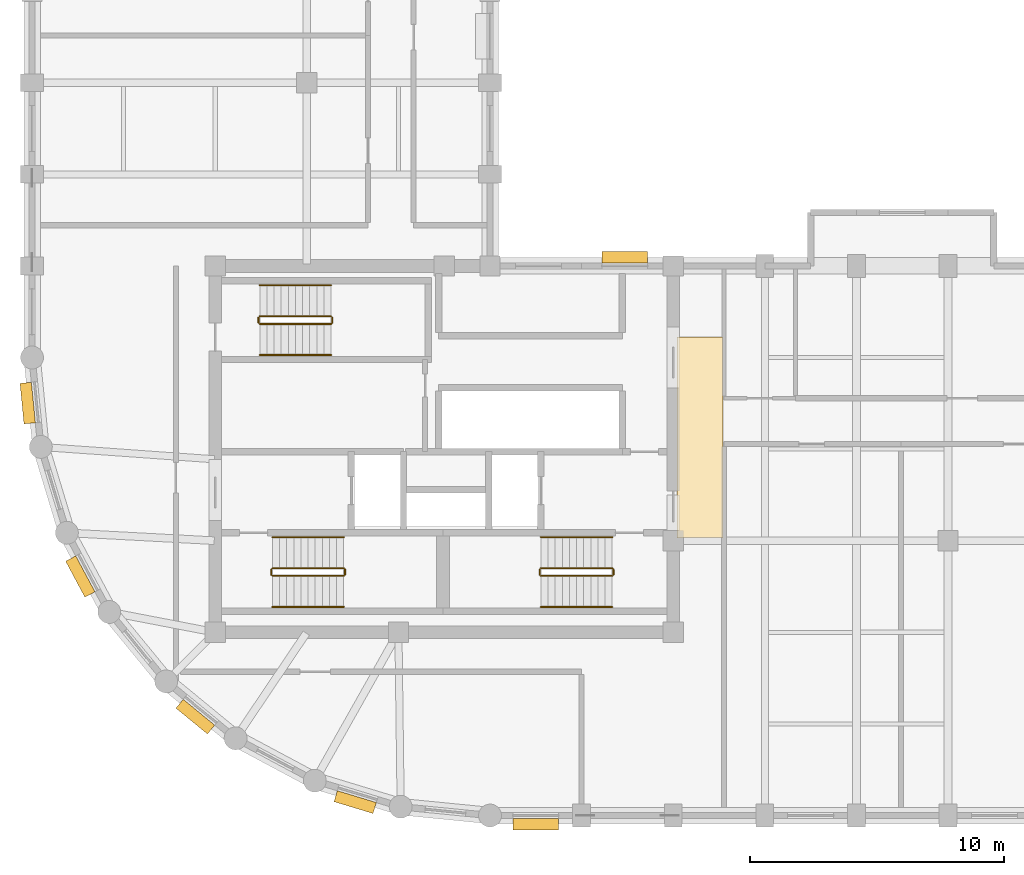
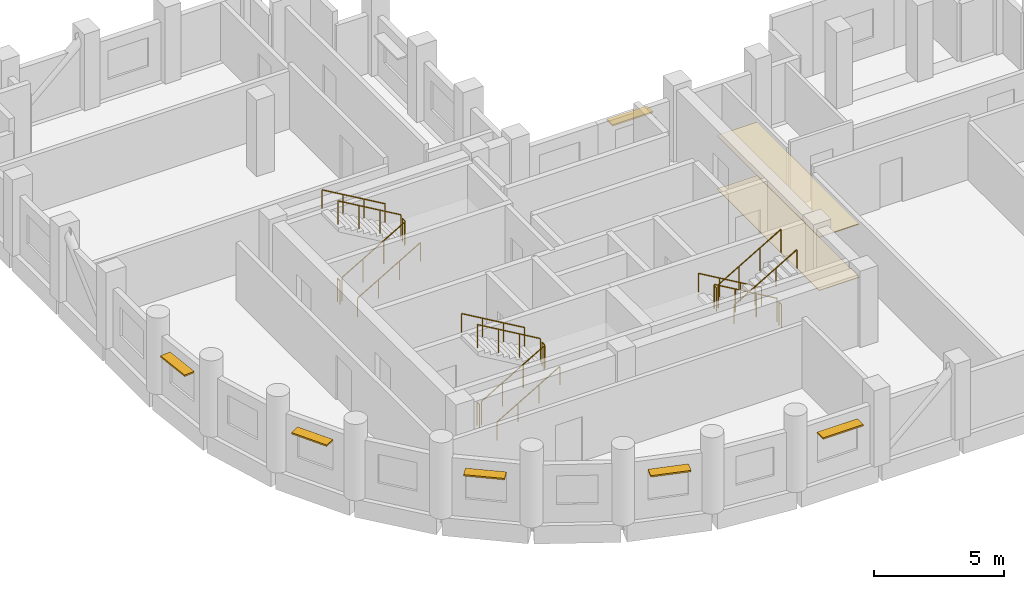
# One storey, part 6 of 7: 18 railings, 6 shading devices, 2 coverings.
"""IFC4 building model written with IfcOpenShell, lengths in metres."""

import ifcopenshell
import ifcopenshell.guid

model = None  # the IFC model being written
_history = None  # IfcOwnerHistory: only IFC2X3 demands one
_inside = {}  # id of a spatial element -> (the spatial element, [elements in it])
_under = {}  # id of a project, library or spatial element -> (it, [spatial elements below it])
_declared = {}  # id of a project -> (the project, [libraries it declares])
_typed = {}  # id of a type object -> (the type object, [elements of that type])
_made_of = {}  # id of a material, layer set ... -> (it, [elements and type objects made of it])


def new_model(schema):
    """Start an empty IFC model of exactly this schema.

    Asked for "IFC4X3", IfcOpenShell would pick the latest addendum, in which some entities
    have other attributes; the version numbers below select the first issue.
    IFC2X3 requires an IfcOwnerHistory on every rooted entity: one is made here for all.
    """
    global model, _history
    if schema == "IFC4X3":
        model = ifcopenshell.file(schema_version=(4, 3, 0, 0))
    else:
        model = ifcopenshell.file(schema=schema)
    _inside.clear()
    _under.clear()
    _declared.clear()
    _typed.clear()
    _made_of.clear()
    _history = None
    if model.schema == "IFC2X3":
        org = make("IfcOrganization", Name="unknown")
        user = make(
            "IfcPersonAndOrganization",
            ThePerson=make("IfcPerson", FamilyName="unknown"),
            TheOrganization=org,
        )
        app = make(
            "IfcApplication",
            ApplicationDeveloper=org,
            Version="unknown",
            ApplicationFullName="unknown",
            ApplicationIdentifier="unknown",
        )
        _history = make(
            "IfcOwnerHistory",
            OwningUser=user,
            OwningApplication=app,
            ChangeAction="ADDED",
            CreationDate=0,
        )
    return model


def make(cls, **values):
    """One entity of the class cls with the attributes given. An attribute that is None is left unset."""
    return model.create_entity(
        cls, **{name: value for name, value in values.items() if value is not None}
    )


def rooted(cls, **values):
    """An entity with a GlobalId (a new one), such as an element, a storey or a relation."""
    return make(cls, GlobalId=ifcopenshell.guid.new(), OwnerHistory=_history, **values)


def si_unit(unit_type, name, prefix=None):
    """IfcSIUnit, for example si_unit("LENGTHUNIT", "METRE", prefix="MILLI")."""
    return make("IfcSIUnit", UnitType=unit_type, Prefix=prefix, Name=name)


def assignment(units):
    """IfcUnitAssignment: the units of a project."""
    return None if units is None else make("IfcUnitAssignment", Units=units)


def point(xyz):
    """IfcCartesianPoint."""
    return None if xyz is None else make("IfcCartesianPoint", Coordinates=xyz)


def direction(xyz):
    """IfcDirection."""
    return None if xyz is None else make("IfcDirection", DirectionRatios=xyz)


def frame(location, z_axis=None, x_axis=None):
    """IfcAxis2Placement3D, a coordinate frame: its origin and axes. An axis left out is left unset."""
    return make(
        "IfcAxis2Placement3D",
        Location=point(location),
        Axis=direction(z_axis),
        RefDirection=direction(x_axis),
    )


def frame_2d(location, x_axis=None):
    """IfcAxis2Placement2D, a coordinate frame in the plane: its origin and x axis."""
    return make(
        "IfcAxis2Placement2D", Location=point(location), RefDirection=direction(x_axis)
    )


def origin():
    """The frame at (0, 0, 0) with its axes left unset."""
    return frame((0.0, 0.0, 0.0))


def origin_2d():
    """The frame at (0, 0) in the plane with its x axis left unset."""
    return frame_2d((0.0, 0.0))


def place(relative_to, where):
    """IfcLocalPlacement: puts the frame where relative to a parent placement (None: the world)."""
    return make(
        "IfcLocalPlacement", PlacementRelTo=relative_to, RelativePlacement=where
    )


def context(
    kind, dimensions, precision=None, world=None, true_north=None, identifier=None
):
    """IfcGeometricRepresentationContext, for example the 3D "Model" context."""
    return make(
        "IfcGeometricRepresentationContext",
        ContextIdentifier=identifier,
        ContextType=kind,
        CoordinateSpaceDimension=dimensions,
        Precision=precision,
        WorldCoordinateSystem=world,
        TrueNorth=true_north,
    )


def subcontext(parent, identifier, kind, view, scale=None):
    """IfcGeometricRepresentationSubContext, for example "Body" below "Model"."""
    return make(
        "IfcGeometricRepresentationSubContext",
        ContextIdentifier=identifier,
        ContextType=kind,
        ParentContext=parent,
        TargetScale=scale,
        TargetView=view,
    )


def project(units=None, contexts=None):
    """IfcProject with its units and contexts."""
    return rooted(
        "IfcProject",
        Name="project",
        RepresentationContexts=contexts,
        UnitsInContext=assignment(units),
    )


def spatial(cls, under=None, at=None, **own):
    """A site, building, storey or space (cls), placed at a placement, below another one or the project."""
    s = rooted(cls, ObjectPlacement=at, **own)
    if under is not None:
        _under.setdefault(under.id(), (under, []))[1].append(s)
    return s


def polyline(points):
    """IfcPolyline through the points."""
    return make("IfcPolyline", Points=[point(p) for p in points])


def profile(cls, at=None, kind="AREA", **sizes):
    """A parametric profile (cls). Its sizes go by their IFC names, for example OverallWidth=200.0."""
    return make(cls, ProfileType=kind, Position=at, **sizes)


def rectangle(**sizes):
    """IfcRectangleProfileDef."""
    return profile("IfcRectangleProfileDef", **sizes)


def circle(**sizes):
    """IfcCircleProfileDef."""
    return profile("IfcCircleProfileDef", **sizes)


def outline(outer, holes=None, kind="AREA"):
    """IfcArbitraryClosedProfileDef: a profile drawn as a closed curve; with holes, ...WithVoids."""
    if holes is None:
        return make("IfcArbitraryClosedProfileDef", ProfileType=kind, OuterCurve=outer)
    return make(
        "IfcArbitraryProfileDefWithVoids",
        ProfileType=kind,
        OuterCurve=outer,
        InnerCurves=holes,
    )


def extrude(swept, where, along, depth):
    """IfcExtrudedAreaSolid: the profile swept, set in the frame where, extruded along a direction by depth."""
    return make(
        "IfcExtrudedAreaSolid",
        SweptArea=swept,
        Position=where,
        ExtrudedDirection=direction(along),
        Depth=depth,
    )


def shape(context_of_items, identifier, shape_type, items):
    """IfcShapeRepresentation: the items that make up one representation, for example the "Body"."""
    return make(
        "IfcShapeRepresentation",
        ContextOfItems=context_of_items,
        RepresentationIdentifier=identifier,
        RepresentationType=shape_type,
        Items=items,
    )


def material(Name=None, Category=None):
    """IfcMaterial."""
    return make("IfcMaterial", Name=Name, Category=Category)


def layer(
    of_material, thickness, ventilated=None, Name=None, Category=None, Priority=None
):
    """IfcMaterialLayer: one layer of a wall or slab, of a material (None: an air gap)."""
    return make(
        "IfcMaterialLayer",
        Material=of_material,
        LayerThickness=thickness,
        IsVentilated=ventilated,
        Name=Name,
        Category=Category,
        Priority=Priority,
    )


def layer_set(layers, Name=None):
    """IfcMaterialLayerSet."""
    return make("IfcMaterialLayerSet", MaterialLayers=layers, LayerSetName=Name)


def made_of(thing, what):
    """Note that an element or type object is made of a material, layer set ...; save() writes the relation."""
    if what is not None:
        _made_of.setdefault(what.id(), (what, []))[1].append(thing)
    return thing


def type_object(cls, material=None, **own):
    """A type object (cls), such as IfcWallType, which elements share."""
    return made_of(rooted(cls, **own), material)


def element(
    cls,
    number,
    at=None,
    inside=None,
    cuts=None,
    type_object=None,
    material=None,
    context=None,
    identifier="Body",
    shape_type=None,
    held_by="IfcProductDefinitionShape",
    body=None,
    shapes=None,
    **own,
):
    """One element of the class cls, such as IfcWall. Its Tag is "e" and its number.

    at: its placement. inside: the storey or other place that contains it. cuts: it is an
    opening in that element (IfcRelVoidsElement). A single representation is given by context,
    identifier, shape_type and body (its items); several are given by shapes. held_by: the class
    of the entity that holds the representations. save() writes the other relations.
    """
    e = rooted(cls, Tag="e%d" % number, ObjectPlacement=at, **own)
    if body is not None:
        shapes = [shape(context, identifier, shape_type, body)]
    if shapes is not None:
        e.Representation = make(held_by, Representations=shapes)
    if inside is not None:
        _inside.setdefault(inside.id(), (inside, []))[1].append(e)
    if cuts is not None:
        rooted(
            "IfcRelVoidsElement", RelatingBuildingElement=cuts, RelatedOpeningElement=e
        )
    if type_object is not None:
        _typed.setdefault(type_object.id(), (type_object, []))[1].append(e)
    return made_of(e, material)


def aggregate(whole, parts):
    """IfcRelAggregates: a whole, such as a stair, and the parts it consists of."""
    return rooted("IfcRelAggregates", RelatingObject=whole, RelatedObjects=parts)


def save(model, path):
    """Write the relations noted so far, then the file.

    IfcRelAggregates (storeys below a building ...), IfcRelContainedInSpatialStructure (elements
    in a storey), IfcRelDefinesByType, IfcRelAssociatesMaterial and IfcRelDeclares: one each for
    every whole, place, type object, material and project.
    """
    for whole, parts in _under.values():
        aggregate(whole, parts)
    for where, things in _inside.values():
        rooted(
            "IfcRelContainedInSpatialStructure",
            RelatedElements=things,
            RelatingStructure=where,
        )
    for kind, things in _typed.values():
        rooted("IfcRelDefinesByType", RelatedObjects=things, RelatingType=kind)
    for what, things in _made_of.values():
        rooted("IfcRelAssociatesMaterial", RelatedObjects=things, RelatingMaterial=what)
    for by, libraries in _declared.values():
        rooted("IfcRelDeclares", RelatingContext=by, RelatedDefinitions=libraries)
    model.write(path)


model = new_model("IFC4")

# Units and contexts
model_context = context("Model", 3, precision=1e-05, world=origin(), true_north=direction((0.0, 1.0)))
body_context = subcontext(model_context, "Body", "Model", "MODEL_VIEW")
ifc_project = project(units=[si_unit("LENGTHUNIT", "METRE"), si_unit("AREAUNIT", "SQUARE_METRE"), si_unit("VOLUMEUNIT", "CUBIC_METRE"), si_unit("PLANEANGLEUNIT", "RADIAN"), si_unit("MASSUNIT", "GRAM", prefix="KILO")], contexts=[model_context])

# Site, building, storey
site_placement = place(None, origin())
site = spatial("IfcSite", under=ifc_project, at=site_placement, CompositionType="ELEMENT")
building_placement = place(site_placement, origin())
building = spatial("IfcBuilding", under=site, at=building_placement, Name="Solnavia Interchange Tower", CompositionType="ELEMENT")
storey_placement = place(building_placement, frame((0.0, 0.0, 213.800048828125)))
storey = spatial("IfcBuildingStorey", under=building, at=storey_placement, Name="L53", CompositionType="ELEMENT", Elevation=213.800048828125)

# Coverings
ifc_material_1 = material(Name="Perforated Mineral-Fibre & Gypsum Ceiling", Category="gypsum")
ifc_layer_1 = layer(ifc_material_1, 0.0400390625)
ifc_layer_set_1 = layer_set([ifc_layer_1], Name="Perforated Mineral-Fibre & Gypsum Ceiling")
covering_type_1 = type_object("IfcCoveringType", Name="Covering-Ceiling-Acoustic40", PredefinedType="CEILING", material=ifc_layer_set_1)
covering_1_placement = place(storey_placement, frame((0.0, 0.0, 2.5)))
element("IfcCovering", 1, at=covering_1_placement, inside=storey, type_object=covering_type_1, Name="CLG-L53-01 Circulation suspended acoustic ceiling", PredefinedType="CEILING", context=body_context, shape_type="SweptSolid", body=[
    extrude(outline(polyline([(32.550048828125, 14.5), (34.35009765625, 14.5), (34.35009765625, 22.39990234375), (32.550048828125, 22.39990234375), (32.550048828125, 14.5)])), origin(), (0.0, 0.0, 1.0), 0.0400390625),
])
ifc_material_2 = material(Name="Engineered European Oak Flooring", Category="wood")
ifc_layer_2 = layer(ifc_material_2, 0.02001953125)
ifc_layer_set_2 = layer_set([ifc_layer_2], Name="Engineered European Oak Flooring")
covering_type_2 = type_object("IfcCoveringType", Name="Covering-Flooring-Timber20", PredefinedType="FLOORING", material=ifc_layer_set_2)
covering_2_placement = place(storey_placement, origin())
element("IfcCovering", 2, at=covering_2_placement, inside=storey, type_object=covering_type_2, Name="FLR-L53-01 Circulation floor finish", PredefinedType="FLOORING", context=body_context, shape_type="SweptSolid", body=[
    extrude(outline(polyline([(32.550048828125, 14.5), (34.35009765625, 14.5), (34.35009765625, 22.39990234375), (32.550048828125, 22.39990234375), (32.550048828125, 14.5)])), origin(), (0.0, 0.0, 1.0), 0.02001953125),
])

# Railings
ifc_material_3 = material(Name="Painted Steel Balustrade", Category="steel")
railing_type_1 = type_object("IfcRailingType", Name="Railing-StairGuard-1100", PredefinedType="GUARDRAIL", material=ifc_material_3)
railing_1_placement = place(storey_placement, frame((16.64990234375, 13.02001953125, 0.16357421875)))
element("IfcRailing", 3, at=railing_1_placement, inside=storey, type_object=railing_type_1, Name="L53 ST-1 stair guard 1", PredefinedType="GUARDRAIL", context=body_context, shape_type="SweptSolid", body=[
    extrude(circle(Radius=0.02392578125, at=origin_2d()), frame((0.0, 0.0, 1.09619140625), z_axis=(0.863360870873, 0.0, 0.504586966384), x_axis=(0.0, 1.0, 0.0)), (0.0, 0.0, 1.0), 3.2431640625),
    extrude(circle(Radius=0.02099609375, at=origin_2d()), origin(), (0.0, 0.0, 1.0), 1.072021484375),
    extrude(circle(Radius=0.02099609375, at=origin_2d()), frame((0.933349609375, 0.0, 0.54541015625)), (0.0, 0.0, 1.0), 1.072021484375),
    extrude(circle(Radius=0.02099609375, at=origin_2d()), frame((1.86669921875, 0.0, 1.091064453125)), (0.0, 0.0, 1.0), 1.072021484375),
    extrude(circle(Radius=0.02099609375, at=origin_2d()), frame((2.800048828125, 0.0, 1.636474609375)), (0.0, 0.0, 1.0), 1.072021484375),
])
railing_2_placement = place(storey_placement, frame((19.5, 13.070068359375, 1.800048828125)))
element("IfcRailing", 4, at=railing_2_placement, inside=storey, type_object=railing_type_1, Name="L53 ST-1 stair guard 2", PredefinedType="GUARDRAIL", context=body_context, shape_type="SweptSolid", body=[
    extrude(circle(Radius=0.02392578125, at=origin_2d()), frame((0.0, 0.0, 1.09619140625), z_axis=(0.0, 1.0, 0.0), x_axis=(-1.0, 0.0, 0.0)), (0.0, 0.0, 1.0), 0.199951171875),
    extrude(circle(Radius=0.02099609375, at=origin_2d()), origin(), (0.0, 0.0, 1.0), 1.072021484375),
    extrude(circle(Radius=0.02099609375, at=origin_2d()), frame((0.0, 0.199951171875, 0.0)), (0.0, 0.0, 1.0), 1.072021484375),
])
railing_3_placement = place(storey_placement, frame((19.449951171875, 13.320068359375, 1.963623046875)))
element("IfcRailing", 5, at=railing_3_placement, inside=storey, type_object=railing_type_1, Name="L53 ST-1 stair guard 3", PredefinedType="GUARDRAIL", context=body_context, shape_type="SweptSolid", body=[
    extrude(circle(Radius=0.02392578125, at=origin_2d()), frame((0.0, 0.0, 1.09619140625), z_axis=(-0.863393664356, 0.0, 0.504530851732), x_axis=(0.0, -1.0, 0.0)), (0.0, 0.0, 1.0), 3.2431640625),
    extrude(circle(Radius=0.02099609375, at=origin_2d()), origin(), (0.0, 0.0, 1.0), 1.072021484375),
    extrude(circle(Radius=0.02099609375, at=origin_2d()), frame((-0.933349609375, 0.0, 0.54541015625)), (0.0, 0.0, 1.0), 1.072021484375),
    extrude(circle(Radius=0.02099609375, at=origin_2d()), frame((-1.86669921875, 0.0, 1.0908203125)), (0.0, 0.0, 1.0), 1.072021484375),
    extrude(circle(Radius=0.02099609375, at=origin_2d()), frame((-2.800048828125, 0.0, 1.63623046875)), (0.0, 0.0, 1.0), 1.072021484375),
])
railing_4_placement = place(storey_placement, frame((16.60009765625, 13.070068359375, 0.0)))
element("IfcRailing", 6, at=railing_4_placement, inside=storey, type_object=railing_type_1, Name="L53 ST-1 stair guard 4", PredefinedType="GUARDRAIL", context=body_context, shape_type="SweptSolid", body=[
    extrude(circle(Radius=0.02392578125, at=origin_2d()), frame((0.0, 0.0, 1.09619140625), z_axis=(0.0, 1.0, 0.0), x_axis=(-1.0, 0.0, 0.0)), (0.0, 0.0, 1.0), 0.199951171875),
    extrude(circle(Radius=0.02099609375, at=origin_2d()), origin(), (0.0, 0.0, 1.0), 1.072021484375),
    extrude(circle(Radius=0.02099609375, at=origin_2d()), frame((0.0, 0.199951171875, 0.0)), (0.0, 0.0, 1.0), 1.072021484375),
])
railing_5_placement = place(storey_placement, frame((30.0, 13.320068359375, 0.16357421875)))
element("IfcRailing", 7, at=railing_5_placement, inside=storey, type_object=railing_type_1, Name="L53 ST-2 stair guard 1", PredefinedType="GUARDRAIL", context=body_context, shape_type="SweptSolid", body=[
    extrude(circle(Radius=0.02392578125, at=origin_2d()), frame((0.0, 0.0, 1.09619140625), z_axis=(-0.863360870873, 0.0, 0.504586966384), x_axis=(0.0, -1.0, 0.0)), (0.0, 0.0, 1.0), 3.2431640625),
    extrude(circle(Radius=0.02099609375, at=origin_2d()), origin(), (0.0, 0.0, 1.0), 1.072021484375),
    extrude(circle(Radius=0.02099609375, at=origin_2d()), frame((-0.933349609375, 0.0, 0.54541015625)), (0.0, 0.0, 1.0), 1.072021484375),
    extrude(circle(Radius=0.02099609375, at=origin_2d()), frame((-1.86669921875, 0.0, 1.091064453125)), (0.0, 0.0, 1.0), 1.072021484375),
    extrude(circle(Radius=0.02099609375, at=origin_2d()), frame((-2.800048828125, 0.0, 1.636474609375)), (0.0, 0.0, 1.0), 1.072021484375),
])
railing_6_placement = place(storey_placement, frame((27.14990234375, 13.27001953125, 1.800048828125)))
element("IfcRailing", 8, at=railing_6_placement, inside=storey, type_object=railing_type_1, Name="L53 ST-2 stair guard 2", PredefinedType="GUARDRAIL", context=body_context, shape_type="SweptSolid", body=[
    extrude(circle(Radius=0.02392578125, at=origin_2d()), frame((0.0, 0.0, 1.09619140625), z_axis=(0.0, -1.0, 0.0), x_axis=(1.0, 0.0, 0.0)), (0.0, 0.0, 1.0), 0.199951171875),
    extrude(circle(Radius=0.02099609375, at=origin_2d()), origin(), (0.0, 0.0, 1.0), 1.072021484375),
    extrude(circle(Radius=0.02099609375, at=origin_2d()), frame((0.0, -0.199951171875, 0.0)), (0.0, 0.0, 1.0), 1.072021484375),
])
railing_7_placement = place(storey_placement, frame((27.199951171875, 13.02001953125, 1.963623046875)))
element("IfcRailing", 9, at=railing_7_placement, inside=storey, type_object=railing_type_1, Name="L53 ST-2 stair guard 3", PredefinedType="GUARDRAIL", context=body_context, shape_type="SweptSolid", body=[
    extrude(circle(Radius=0.02392578125, at=origin_2d()), frame((0.0, 0.0, 1.09619140625), z_axis=(0.863393664356, 0.0, 0.504530851732), x_axis=(0.0, 1.0, 0.0)), (0.0, 0.0, 1.0), 3.2431640625),
    extrude(circle(Radius=0.02099609375, at=origin_2d()), origin(), (0.0, 0.0, 1.0), 1.072021484375),
    extrude(circle(Radius=0.02099609375, at=origin_2d()), frame((0.933349609375, 0.0, 0.54541015625)), (0.0, 0.0, 1.0), 1.072021484375),
    extrude(circle(Radius=0.02099609375, at=origin_2d()), frame((1.86669921875, 0.0, 1.0908203125)), (0.0, 0.0, 1.0), 1.072021484375),
    extrude(circle(Radius=0.02099609375, at=origin_2d()), frame((2.800048828125, 0.0, 1.63623046875)), (0.0, 0.0, 1.0), 1.072021484375),
])
railing_8_placement = place(storey_placement, frame((30.050048828125, 13.27001953125, 0.0)))
element("IfcRailing", 10, at=railing_8_placement, inside=storey, type_object=railing_type_1, Name="L53 ST-2 stair guard 4", PredefinedType="GUARDRAIL", context=body_context, shape_type="SweptSolid", body=[
    extrude(circle(Radius=0.02392578125, at=origin_2d()), frame((0.0, 0.0, 1.09619140625), z_axis=(0.0, -1.0, 0.0), x_axis=(1.0, 0.0, 0.0)), (0.0, 0.0, 1.0), 0.199951171875),
    extrude(circle(Radius=0.02099609375, at=origin_2d()), origin(), (0.0, 0.0, 1.0), 1.072021484375),
    extrude(circle(Radius=0.02099609375, at=origin_2d()), frame((0.0, -0.199951171875, 0.0)), (0.0, 0.0, 1.0), 1.072021484375),
])
railing_9_placement = place(storey_placement, frame((16.14990234375, 22.919921875, 0.16357421875)))
element("IfcRailing", 11, at=railing_9_placement, inside=storey, type_object=railing_type_1, Name="L53 ST-3 stair guard 1", PredefinedType="GUARDRAIL", context=body_context, shape_type="SweptSolid", body=[
    extrude(circle(Radius=0.02392578125, at=origin_2d()), frame((0.0, 0.0, 1.09619140625), z_axis=(0.863360870873, 0.0, 0.504586966384), x_axis=(0.0, 1.0, 0.0)), (0.0, 0.0, 1.0), 3.2431640625),
    extrude(circle(Radius=0.02099609375, at=origin_2d()), origin(), (0.0, 0.0, 1.0), 1.072021484375),
    extrude(circle(Radius=0.02099609375, at=origin_2d()), frame((0.933349609375, 0.0, 0.54541015625)), (0.0, 0.0, 1.0), 1.072021484375),
    extrude(circle(Radius=0.02099609375, at=origin_2d()), frame((1.86669921875, 0.0, 1.091064453125)), (0.0, 0.0, 1.0), 1.072021484375),
    extrude(circle(Radius=0.02099609375, at=origin_2d()), frame((2.800048828125, 0.0, 1.636474609375)), (0.0, 0.0, 1.0), 1.072021484375),
])
railing_10_placement = place(storey_placement, frame((19.0, 22.969970703125, 1.800048828125)))
element("IfcRailing", 12, at=railing_10_placement, inside=storey, type_object=railing_type_1, Name="L53 ST-3 stair guard 2", PredefinedType="GUARDRAIL", context=body_context, shape_type="SweptSolid", body=[
    extrude(circle(Radius=0.02392578125, at=origin_2d()), frame((0.0, 0.0, 1.09619140625), z_axis=(0.0, 1.0, 0.0), x_axis=(-1.0, 0.0, 0.0)), (0.0, 0.0, 1.0), 0.199951171875),
    extrude(circle(Radius=0.02099609375, at=origin_2d()), origin(), (0.0, 0.0, 1.0), 1.072021484375),
    extrude(circle(Radius=0.02099609375, at=origin_2d()), frame((0.0, 0.199951171875, 0.0)), (0.0, 0.0, 1.0), 1.072021484375),
])
railing_11_placement = place(storey_placement, frame((18.949951171875, 23.219970703125, 1.963623046875)))
element("IfcRailing", 13, at=railing_11_placement, inside=storey, type_object=railing_type_1, Name="L53 ST-3 stair guard 3", PredefinedType="GUARDRAIL", context=body_context, shape_type="SweptSolid", body=[
    extrude(circle(Radius=0.02392578125, at=origin_2d()), frame((0.0, 0.0, 1.09619140625), z_axis=(-0.863393664356, 0.0, 0.504530851732), x_axis=(0.0, -1.0, 0.0)), (0.0, 0.0, 1.0), 3.2431640625),
    extrude(circle(Radius=0.02099609375, at=origin_2d()), origin(), (0.0, 0.0, 1.0), 1.072021484375),
    extrude(circle(Radius=0.02099609375, at=origin_2d()), frame((-0.933349609375, 0.0, 0.54541015625)), (0.0, 0.0, 1.0), 1.072021484375),
    extrude(circle(Radius=0.02099609375, at=origin_2d()), frame((-1.86669921875, 0.0, 1.0908203125)), (0.0, 0.0, 1.0), 1.072021484375),
    extrude(circle(Radius=0.02099609375, at=origin_2d()), frame((-2.800048828125, 0.0, 1.63623046875)), (0.0, 0.0, 1.0), 1.072021484375),
])
railing_12_placement = place(storey_placement, frame((16.10009765625, 22.969970703125, 0.0)))
element("IfcRailing", 14, at=railing_12_placement, inside=storey, type_object=railing_type_1, Name="L53 ST-3 stair guard 4", PredefinedType="GUARDRAIL", context=body_context, shape_type="SweptSolid", body=[
    extrude(circle(Radius=0.02392578125, at=origin_2d()), frame((0.0, 0.0, 1.09619140625), z_axis=(0.0, 1.0, 0.0), x_axis=(-1.0, 0.0, 0.0)), (0.0, 0.0, 1.0), 0.199951171875),
    extrude(circle(Radius=0.02099609375, at=origin_2d()), origin(), (0.0, 0.0, 1.0), 1.072021484375),
    extrude(circle(Radius=0.02099609375, at=origin_2d()), frame((0.0, 0.199951171875, 0.0)), (0.0, 0.0, 1.0), 1.072021484375),
])
ifc_material_4 = material(Name="Brushed Stainless Steel", Category="steel")
railing_type_2 = type_object("IfcRailingType", Name="Railing-StairHandrail-900", PredefinedType="HANDRAIL", material=ifc_material_4)
railing_13_placement = place(storey_placement, frame((16.64990234375, 11.800048828125, 0.16357421875)))
element("IfcRailing", 15, at=railing_13_placement, inside=storey, type_object=railing_type_2, Name="L53 ST-1 stair handrail 1", PredefinedType="HANDRAIL", context=body_context, shape_type="SweptSolid", body=[
    extrude(circle(Radius=0.02392578125, at=origin_2d()), frame((0.0, 0.0, 0.8759765625), z_axis=(0.863360870873, 0.0, 0.504586966384), x_axis=(0.0, 1.0, 0.0)), (0.0, 0.0, 1.0), 3.2431640625),
    extrude(circle(Radius=0.02099609375, at=origin_2d()), origin(), (0.0, 0.0, 1.0), 0.851806640625),
    extrude(circle(Radius=0.02099609375, at=origin_2d()), frame((0.933349609375, 0.0, 0.54541015625)), (0.0, 0.0, 1.0), 0.851806640625),
    extrude(circle(Radius=0.02099609375, at=origin_2d()), frame((1.86669921875, 0.0, 1.091064453125)), (0.0, 0.0, 1.0), 0.851806640625),
    extrude(circle(Radius=0.02099609375, at=origin_2d()), frame((2.800048828125, 0.0, 1.636474609375)), (0.0, 0.0, 1.0), 0.851806640625),
])
railing_14_placement = place(storey_placement, frame((19.449951171875, 14.5400390625, 1.963623046875)))
element("IfcRailing", 16, at=railing_14_placement, inside=storey, type_object=railing_type_2, Name="L53 ST-1 stair handrail 2", PredefinedType="HANDRAIL", context=body_context, shape_type="SweptSolid", body=[
    extrude(circle(Radius=0.02392578125, at=origin_2d()), frame((0.0, 0.0, 0.8759765625), z_axis=(-0.863393664356, 0.0, 0.504530851732), x_axis=(0.0, -1.0, 0.0)), (0.0, 0.0, 1.0), 3.2431640625),
    extrude(circle(Radius=0.02099609375, at=origin_2d()), origin(), (0.0, 0.0, 1.0), 0.851806640625),
    extrude(circle(Radius=0.02099609375, at=origin_2d()), frame((-0.933349609375, 0.0, 0.54541015625)), (0.0, 0.0, 1.0), 0.851806640625),
    extrude(circle(Radius=0.02099609375, at=origin_2d()), frame((-1.86669921875, 0.0, 1.0908203125)), (0.0, 0.0, 1.0), 0.851806640625),
    extrude(circle(Radius=0.02099609375, at=origin_2d()), frame((-2.800048828125, 0.0, 1.63623046875)), (0.0, 0.0, 1.0), 0.851806640625),
])
railing_15_placement = place(storey_placement, frame((30.0, 14.5400390625, 0.16357421875)))
element("IfcRailing", 17, at=railing_15_placement, inside=storey, type_object=railing_type_2, Name="L53 ST-2 stair handrail 1", PredefinedType="HANDRAIL", context=body_context, shape_type="SweptSolid", body=[
    extrude(circle(Radius=0.02392578125, at=origin_2d()), frame((0.0, 0.0, 0.8759765625), z_axis=(-0.863360870873, 0.0, 0.504586966384), x_axis=(0.0, -1.0, 0.0)), (0.0, 0.0, 1.0), 3.2431640625),
    extrude(circle(Radius=0.02099609375, at=origin_2d()), origin(), (0.0, 0.0, 1.0), 0.851806640625),
    extrude(circle(Radius=0.02099609375, at=origin_2d()), frame((-0.933349609375, 0.0, 0.54541015625)), (0.0, 0.0, 1.0), 0.851806640625),
    extrude(circle(Radius=0.02099609375, at=origin_2d()), frame((-1.86669921875, 0.0, 1.091064453125)), (0.0, 0.0, 1.0), 0.851806640625),
    extrude(circle(Radius=0.02099609375, at=origin_2d()), frame((-2.800048828125, 0.0, 1.636474609375)), (0.0, 0.0, 1.0), 0.851806640625),
])
railing_16_placement = place(storey_placement, frame((27.199951171875, 11.800048828125, 1.963623046875)))
element("IfcRailing", 18, at=railing_16_placement, inside=storey, type_object=railing_type_2, Name="L53 ST-2 stair handrail 2", PredefinedType="HANDRAIL", context=body_context, shape_type="SweptSolid", body=[
    extrude(circle(Radius=0.02392578125, at=origin_2d()), frame((0.0, 0.0, 0.8759765625), z_axis=(0.863393664356, 0.0, 0.504530851732), x_axis=(0.0, 1.0, 0.0)), (0.0, 0.0, 1.0), 3.2431640625),
    extrude(circle(Radius=0.02099609375, at=origin_2d()), origin(), (0.0, 0.0, 1.0), 0.851806640625),
    extrude(circle(Radius=0.02099609375, at=origin_2d()), frame((0.933349609375, 0.0, 0.54541015625)), (0.0, 0.0, 1.0), 0.851806640625),
    extrude(circle(Radius=0.02099609375, at=origin_2d()), frame((1.86669921875, 0.0, 1.0908203125)), (0.0, 0.0, 1.0), 0.851806640625),
    extrude(circle(Radius=0.02099609375, at=origin_2d()), frame((2.800048828125, 0.0, 1.63623046875)), (0.0, 0.0, 1.0), 0.851806640625),
])
railing_17_placement = place(storey_placement, frame((16.14990234375, 21.699951171875, 0.16357421875)))
element("IfcRailing", 19, at=railing_17_placement, inside=storey, type_object=railing_type_2, Name="L53 ST-3 stair handrail 1", PredefinedType="HANDRAIL", context=body_context, shape_type="SweptSolid", body=[
    extrude(circle(Radius=0.02392578125, at=origin_2d()), frame((0.0, 0.0, 0.8759765625), z_axis=(0.863360870873, 0.0, 0.504586966384), x_axis=(0.0, 1.0, 0.0)), (0.0, 0.0, 1.0), 3.2431640625),
    extrude(circle(Radius=0.02099609375, at=origin_2d()), origin(), (0.0, 0.0, 1.0), 0.851806640625),
    extrude(circle(Radius=0.02099609375, at=origin_2d()), frame((0.933349609375, 0.0, 0.54541015625)), (0.0, 0.0, 1.0), 0.851806640625),
    extrude(circle(Radius=0.02099609375, at=origin_2d()), frame((1.86669921875, 0.0, 1.091064453125)), (0.0, 0.0, 1.0), 0.851806640625),
    extrude(circle(Radius=0.02099609375, at=origin_2d()), frame((2.800048828125, 0.0, 1.636474609375)), (0.0, 0.0, 1.0), 0.851806640625),
])
railing_18_placement = place(storey_placement, frame((18.949951171875, 24.43994140625, 1.963623046875)))
element("IfcRailing", 20, at=railing_18_placement, inside=storey, type_object=railing_type_2, Name="L53 ST-3 stair handrail 2", PredefinedType="HANDRAIL", context=body_context, shape_type="SweptSolid", body=[
    extrude(circle(Radius=0.02392578125, at=origin_2d()), frame((0.0, 0.0, 0.8759765625), z_axis=(-0.863393664356, 0.0, 0.504530851732), x_axis=(0.0, -1.0, 0.0)), (0.0, 0.0, 1.0), 3.2431640625),
    extrude(circle(Radius=0.02099609375, at=origin_2d()), origin(), (0.0, 0.0, 1.0), 0.851806640625),
    extrude(circle(Radius=0.02099609375, at=origin_2d()), frame((-0.933349609375, 0.0, 0.54541015625)), (0.0, 0.0, 1.0), 0.851806640625),
    extrude(circle(Radius=0.02099609375, at=origin_2d()), frame((-1.86669921875, 0.0, 1.0908203125)), (0.0, 0.0, 1.0), 0.851806640625),
    extrude(circle(Radius=0.02099609375, at=origin_2d()), frame((-2.800048828125, 0.0, 1.63623046875)), (0.0, 0.0, 1.0), 0.851806640625),
])

# Shading devices
ifc_material_5 = material(Name="Anodised Aluminium Sunshade", Category="aluminium")
ifc_layer_3 = layer(ifc_material_5, 0.070068359375)
ifc_layer_set_3 = layer_set([ifc_layer_3], Name="Anodised Aluminium Sunshade")
shading_device_type = type_object("IfcShadingDeviceType", Name="Sunshade-Band-450", PredefinedType="JALOUSIE", material=ifc_layer_set_3)
for number, where, z_axis, x_axis, name in (
    (21, (27.0, 3.2548828125, 2.22509765625), (0.0, 0.0, 1.0), (-1.0, 0.0, 0.0), "SHD-L53-01 Horizontal sunshade band"),
    (22, (30.4951171875, 25.544921875, 2.22509765625), (0.0, 0.0, 1.0), (1.0, 0.0, 0.0), "SHD-L53-27 Horizontal sunshade band"),
):
    element("IfcShadingDevice", number, at=place(storey_placement, frame(where, z_axis=z_axis, x_axis=x_axis)), inside=storey, type_object=shading_device_type, Name=name, PredefinedType="JALOUSIE", context=body_context, shape_type="SweptSolid", body=[
        extrude(rectangle(XDim=1.800048828125, YDim=0.449951171875, at=origin_2d()), origin(), (0.0, 0.0, 1.0), 0.070068359375),
    ])
for number, where, z_axis, x_axis, name in (
    (23, (7.029541015625, 19.810791015625, 2.22509765625), (0.0, 0.0, 1.0), (-0.098103986207, 0.995176169274, 0.0), "SHD-L53-47 Horizontal sunshade band"),
    (24, (9.097900390625, 12.992919921875, 2.22509765625), (0.0, 0.0, 1.0), (-0.47147369718, 0.881880123865, 0.0), "SHD-L53-49 Horizontal sunshade band"),
    (25, (13.617431640625, 7.486083984375, 2.22509765625), (0.0, 0.0, 1.0), (-0.773176510644, 0.634190888762, 0.0), "SHD-L53-51 Horizontal sunshade band"),
    (26, (19.89990234375, 4.1279296875, 2.22509765625), (0.0, 0.0, 1.0), (-0.956965664205, 0.290201167351, 0.0), "SHD-L53-53 Horizontal sunshade band"),
):
    element("IfcShadingDevice", number, at=place(storey_placement, frame(where, z_axis=z_axis, x_axis=x_axis)), inside=storey, type_object=shading_device_type, Name=name, PredefinedType="JALOUSIE", context=body_context, shape_type="SweptSolid", body=[
        extrude(rectangle(XDim=1.60009765625, YDim=0.449951171875, at=origin_2d()), origin(), (0.0, 0.0, 1.0), 0.070068359375),
    ])

save(model, "model.ifc")
